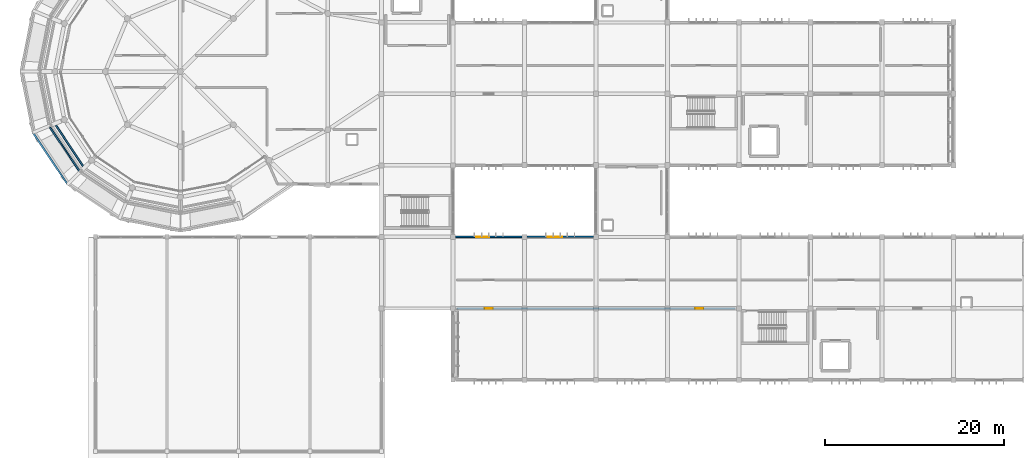
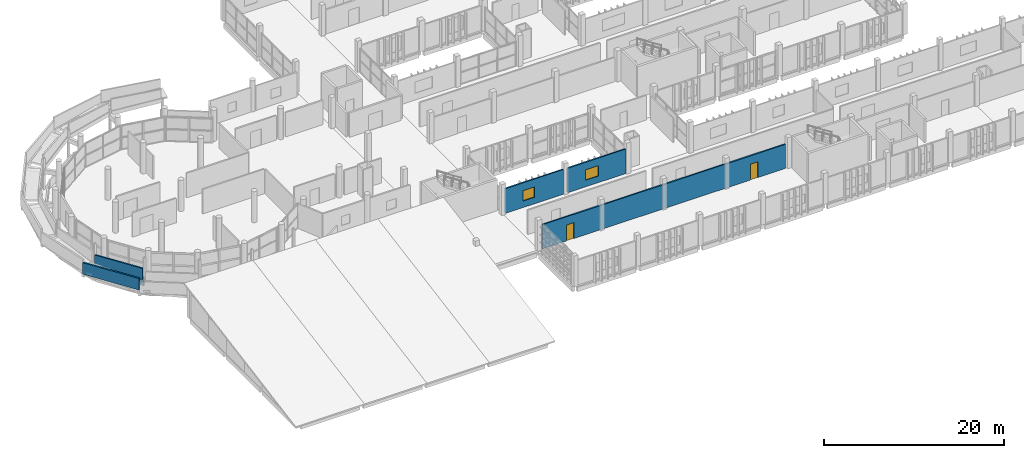
# One storey, part 64 of 83: 6 walls, 2 doors, 2 windows, 4 openings.
"""IFC4 building model written with IfcOpenShell, lengths in metres."""

from ifc_helpers import new_model, si_unit, direction, frame, frame_2d, origin, place, context, subcontext, project, spatial, rectangle, extrude, material, layer, layer_set, type_object, element, fill, save


model = new_model("IFC4")

# Units and contexts
model_context = context("Model", 3, precision=1e-05, world=origin(), true_north=direction((0.0, 1.0)))
body_context = subcontext(model_context, "Body", "Model", "MODEL_VIEW")
ifc_project = project(units=[si_unit("LENGTHUNIT", "METRE"), si_unit("AREAUNIT", "SQUARE_METRE"), si_unit("VOLUMEUNIT", "CUBIC_METRE"), si_unit("PLANEANGLEUNIT", "RADIAN"), si_unit("MASSUNIT", "GRAM", prefix="KILO")], contexts=[model_context])

# Site, building, storey
site_placement = place(None, origin())
site = spatial("IfcSite", under=ifc_project, at=site_placement, CompositionType="ELEMENT")
building_placement = place(site_placement, origin())
building = spatial("IfcBuilding", under=site, at=building_placement, Name="Jelvoka-Kovrelna Polytechnic", CompositionType="ELEMENT")
storey_placement = place(building_placement, frame((0.0, 0.0, 13.800048828125)))
storey = spatial("IfcBuildingStorey", under=building, at=storey_placement, Name="L04", CompositionType="ELEMENT", Elevation=13.800048828125)

# Wall, openings, doors
ifc_material_1 = material(Name="Autoclaved aerated concrete blockwork", Category="masonry")
ifc_layer_1 = layer(ifc_material_1, 0.179931640625)
ifc_layer_set_1 = layer_set([ifc_layer_1], Name="Autoclaved aerated concrete blockwork")
wall_type_1 = type_object("IfcWallType", Name="Wall_Corridor_180", PredefinedType="PARTITIONING", material=ifc_layer_set_1)
wall_1_placement = place(storey_placement, frame((56.429931640625, 16.0, 0.0), z_axis=(0.0, 0.0, 1.0), x_axis=(1.0, 0.0, 0.0)))
wall_1 = element("IfcWall", 1, at=wall_1_placement, inside=storey, type_object=wall_type_1, Name="L04 interior wall 1109", PredefinedType="PARTITIONING", context=body_context, shape_type="SweptSolid", body=[
    extrude(rectangle(XDim=31.14013671875, YDim=0.179931640625, at=frame_2d((15.570068359375, 0.0))), origin(), (0.0, 0.0, 1.0), 3.27490234375),
])
opening_1_placement = place(wall_1_placement, frame((3.110107421875, 0.0, 0.0)))
opening_1 = element("IfcOpeningElement", 2, at=opening_1_placement, cuts=wall_1, Name="Opening D-L04-329", PredefinedType="OPENING", context=body_context, shape_type="SweptSolid", body=[
    extrude(rectangle(XDim=0.919921875, YDim=2.14990234375, at=frame_2d((0.4599609375, 1.074951171875))), frame((0.0, 0.099853515625, 0.0), z_axis=(0.0, -1.0, 0.0), x_axis=(1.0, 0.0, 0.0)), (0.0, 0.0, 1.0), 0.199951171875),
])
opening_2_placement = place(wall_1_placement, frame((26.679931640625, 0.0, 0.0)))
opening_2 = element("IfcOpeningElement", 3, at=opening_2_placement, cuts=wall_1, Name="Opening D-L04-330", PredefinedType="OPENING", context=body_context, shape_type="SweptSolid", body=[
    extrude(rectangle(XDim=0.919921875, YDim=2.14990234375, at=frame_2d((0.4599609375, 1.074951171875))), frame((0.0, 0.099853515625, 0.0), z_axis=(0.0, -1.0, 0.0), x_axis=(1.0, 0.0, 0.0)), (0.0, 0.0, 1.0), 0.199951171875),
])
ifc_material_2 = material(Name="Hardwood solid-core door", Category="wood")
door_type = type_object("IfcDoorType", Name="Door_Int_D06", OperationType="NOTDEFINED", PredefinedType="DOOR", material=ifc_material_2)
door_1_placement = place(opening_1_placement, origin())
door_1 = element("IfcDoor", 4, at=door_1_placement, inside=storey, type_object=door_type, Name="L04 interior door D-L04-329", OperationType="SINGLE_SWING_RIGHT", OverallHeight=2.14990234375, OverallWidth=0.919921875, PredefinedType="DOOR", context=body_context, shape_type="SweptSolid", body=[
    extrude(rectangle(XDim=0.919921875, YDim=2.14990234375, at=frame_2d((0.4599609375, 1.074951171875))), frame((0.0, 0.02490234375, 0.0), z_axis=(0.0, -1.0, 0.0), x_axis=(1.0, 0.0, 0.0)), (0.0, 0.0, 1.0), 0.050048828125),
])
fill(opening_1, door_1)
door_2_placement = place(opening_2_placement, origin())
door_2 = element("IfcDoor", 5, at=door_2_placement, inside=storey, type_object=door_type, Name="L04 interior door D-L04-330", OperationType="SINGLE_SWING_LEFT", OverallHeight=2.14990234375, OverallWidth=0.919921875, PredefinedType="DOOR", context=body_context, shape_type="SweptSolid", body=[
    extrude(rectangle(XDim=0.919921875, YDim=2.14990234375, at=frame_2d((0.4599609375, 1.074951171875))), frame((0.0, 0.02490234375, 0.0), z_axis=(0.0, -1.0, 0.0), x_axis=(1.0, 0.0, 0.0)), (0.0, 0.0, 1.0), 0.050048828125),
])
fill(opening_2, door_2)

# Wall, opening, window
ifc_material_3 = material(Name="Precast concrete C40/50", Category="concrete")
ifc_layer_2 = layer(ifc_material_3, 0.18505859375)
ifc_layer_set_2 = layer_set([ifc_layer_2], Name="Precast concrete C40/50")
wall_type_2 = type_object("IfcWallType", Name="Wall_Ext_White_260", PredefinedType="STANDARD", material=ifc_layer_set_2)
wall_2_placement = place(storey_placement, frame((56.27197265625, 24.0, 0.0), z_axis=(0.0, 0.0, 1.0), x_axis=(1.0, 0.0, 0.0)))
wall_2 = element("IfcWall", 6, at=wall_2_placement, inside=storey, type_object=wall_type_2, Name="L04 exterior wall 0309", PredefinedType="STANDARD", context=body_context, shape_type="SweptSolid", body=[
    extrude(rectangle(XDim=7.4560546875, YDim=0.18505859375, at=frame_2d((3.72802734375, 0.0))), origin(), (0.0, 0.0, 1.0), 3.349853515625),
])
opening_3_placement = place(wall_2_placement, frame((2.30810546875, 0.0, 0.89990234375)))
opening_3 = element("IfcOpeningElement", 7, at=opening_3_placement, cuts=wall_2, Name="Opening W-L04-069", PredefinedType="OPENING", context=body_context, shape_type="SweptSolid", body=[
    extrude(rectangle(XDim=1.449951171875, YDim=1.39990234375, at=frame_2d((0.72509765625, 0.699951171875))), frame((0.0, 0.1025390625, 0.0), z_axis=(0.0, -1.0, 0.0), x_axis=(1.0, 0.0, 0.0)), (0.0, 0.0, 1.0), 0.205078125),
])
ifc_material_4 = material(Name="Thermally broken anodised aluminium and low-e glazing", Category="aluminium")
window_type_1 = type_object("IfcWindowType", Name="Win_Casement_W13", PartitioningType="SINGLE_PANEL", PredefinedType="WINDOW", material=ifc_material_4)
window_1_placement = place(opening_3_placement, origin())
window_1 = element("IfcWindow", 8, at=window_1_placement, inside=storey, type_object=window_type_1, Name="L04 aluminium casement window W-L04-069", OverallHeight=1.39990234375, OverallWidth=1.449951171875, PartitioningType="SINGLE_PANEL", PredefinedType="WINDOW", context=body_context, shape_type="SweptSolid", body=[
    extrude(rectangle(XDim=1.449951171875, YDim=1.39990234375, at=frame_2d((0.72509765625, 0.699951171875))), frame((0.0, 0.030029296875, 0.0), z_axis=(0.0, -1.0, 0.0), x_axis=(1.0, 0.0, 0.0)), (0.0, 0.0, 1.0), 0.06005859375),
])
fill(opening_3, window_1)

wall_3_placement = place(storey_placement, frame((64.27197265625, 24.0, 0.0), z_axis=(0.0, 0.0, 1.0), x_axis=(1.0, 0.0, 0.0)))
wall_3 = element("IfcWall", 9, at=wall_3_placement, inside=storey, type_object=wall_type_2, Name="L04 exterior wall 0311", PredefinedType="STANDARD", context=body_context, shape_type="SweptSolid", body=[
    extrude(rectangle(XDim=7.4560546875, YDim=0.18505859375, at=frame_2d((3.72802734375, 0.0))), origin(), (0.0, 0.0, 1.0), 3.324951171875),
])
opening_4_placement = place(wall_3_placement, frame((2.30810546875, 0.0, 0.89990234375)))
opening_4 = element("IfcOpeningElement", 10, at=opening_4_placement, cuts=wall_3, Name="Opening W-L04-071", PredefinedType="OPENING", context=body_context, shape_type="SweptSolid", body=[
    extrude(rectangle(XDim=1.64990234375, YDim=1.39990234375, at=frame_2d((0.824951171875, 0.699951171875))), frame((0.0, 0.1025390625, 0.0), z_axis=(0.0, -1.0, 0.0), x_axis=(1.0, 0.0, 0.0)), (0.0, 0.0, 1.0), 0.205078125),
])
ifc_material_5 = material(Name="Thermally broken anodised aluminium and low-e glazing", Category="aluminium")
window_type_2 = type_object("IfcWindowType", Name="Win_Casement_W14", PartitioningType="DOUBLE_PANEL_VERTICAL", PredefinedType="WINDOW", material=ifc_material_5)
window_2_placement = place(opening_4_placement, origin())
window_2 = element("IfcWindow", 11, at=window_2_placement, inside=storey, type_object=window_type_2, Name="L04 aluminium casement window W-L04-071", OverallHeight=1.39990234375, OverallWidth=1.64990234375, PartitioningType="DOUBLE_PANEL_VERTICAL", PredefinedType="WINDOW", context=body_context, shape_type="SweptSolid", body=[
    extrude(rectangle(XDim=1.64990234375, YDim=1.39990234375, at=frame_2d((0.824951171875, 0.699951171875))), frame((0.0, 0.030029296875, 0.0), z_axis=(0.0, -1.0, 0.0), x_axis=(1.0, 0.0, 0.0)), (0.0, 0.0, 1.0), 0.06005859375),
])
fill(opening_4, window_2)

# Walls
ifc_material_6 = material(Name="Precast concrete C40/50", Category="concrete")
ifc_layer_3 = layer(ifc_material_6, 0.179931640625)
ifc_layer_set_3 = layer_set([ifc_layer_3], Name="Precast concrete C40/50")
wall_type_3 = type_object("IfcWallType", Name="Wall_Parapet_180", PredefinedType="PARAPET", material=ifc_layer_set_3)
wall_4_placement = place(storey_placement, frame((11.527587890625, 36.54248046875, 0.0), z_axis=(0.0, 0.0, 1.0), x_axis=(0.555552261158, -0.831481620435, 0.0)))
element("IfcWall", 12, at=wall_4_placement, inside=storey, type_object=wall_type_3, Name="L04 exterior wall 1009", PredefinedType="PARAPET", context=body_context, shape_type="SweptSolid", body=[
    extrude(rectangle(XDim=5.618408203125, YDim=0.179931640625, at=frame_2d((2.80908203125, 0.0))), origin(), (0.0, 0.0, 1.0), 1.14990234375),
])
wall_5_placement = place(storey_placement, frame((14.168212890625, 31.389892578125, 1.27001953125), z_axis=(0.0, 0.0, 1.0), x_axis=(-0.555580797046, 0.831462553548, 0.0)))
element("IfcWall", 13, at=wall_5_placement, inside=storey, type_object=wall_type_3, Name="L04 exterior wall 1106", PredefinedType="PARAPET", context=body_context, shape_type="SweptSolid", body=[
    extrude(rectangle(XDim=5.884033203125, YDim=0.179931640625, at=frame_2d((2.94189453125, 0.0))), origin(), (0.0, 0.0, 1.0), 1.559814453125),
])
ifc_material_7 = material(Name="Precast concrete C40/50", Category="concrete")
ifc_layer_4 = layer(ifc_material_7, 0.199951171875)
ifc_layer_set_4 = layer_set([ifc_layer_4], Name="Precast concrete C40/50")
wall_type_4 = type_object("IfcWallType", Name="Wall_Parapet_200", PredefinedType="PARAPET", material=ifc_layer_set_4)
wall_6_placement = place(storey_placement, frame((12.878173828125, 29.878173828125, 1.27001953125), z_axis=(0.0, 0.0, 1.0), x_axis=(-0.555565451838, 0.831472806966, 0.0)))
element("IfcWall", 14, at=wall_6_placement, inside=storey, type_object=wall_type_4, Name="L04 exterior wall 1105", PredefinedType="PARAPET", context=body_context, shape_type="SweptSolid", body=[
    extrude(rectangle(XDim=6.96484375, YDim=0.199951171875, at=frame_2d((3.482421875, 0.0))), origin(), (0.0, 0.0, 1.0), 1.559814453125),
])

save(model, "model.ifc")
